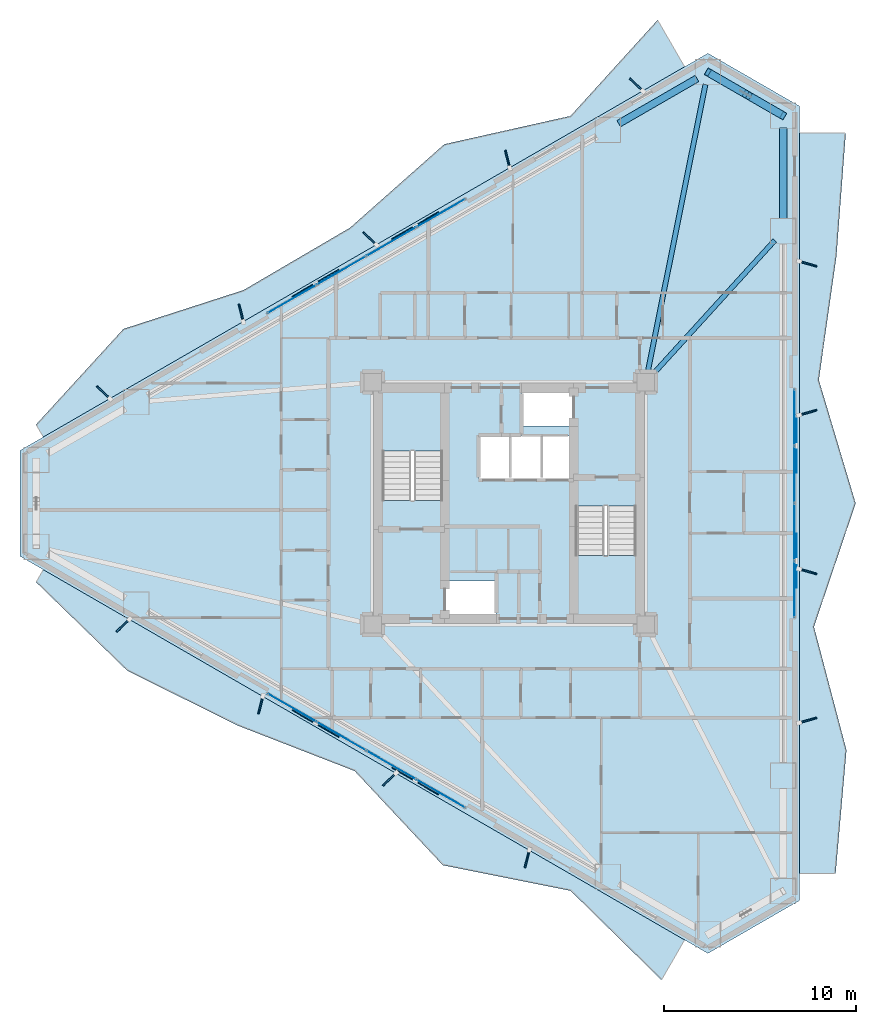
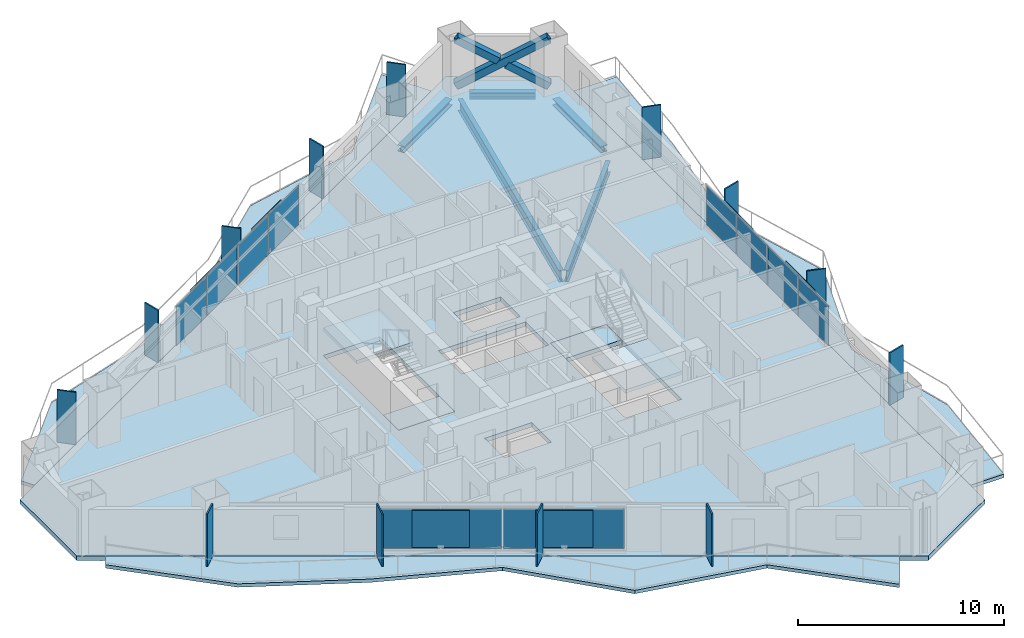
# One storey, part 10 of 18: 31 plates, 8 slabs, 5 beams, 3 members, 5 elements without a shape of their own.
"""IFC4 building model written with IfcOpenShell, lengths in metres."""

from ifc_helpers import new_model, si_unit, direction, frame, origin, origin_2d, place, context, subcontext, project, spatial, polyline, rectangle, hollow_rectangle, i_section, outline, extrude, material, layer, layer_set, material_profile, profile_set, type_object, element, aggregate, save


model = new_model("IFC4")

# Units and contexts
model_context = context("Model", 3, precision=1e-05, world=origin(), true_north=direction((0.0, 1.0)))
body_context = subcontext(model_context, "Body", "Model", "MODEL_VIEW")
ifc_project = project(units=[si_unit("LENGTHUNIT", "METRE"), si_unit("AREAUNIT", "SQUARE_METRE"), si_unit("VOLUMEUNIT", "CUBIC_METRE"), si_unit("PLANEANGLEUNIT", "RADIAN"), si_unit("MASSUNIT", "GRAM", prefix="KILO")], contexts=[model_context])

# Site, building, storey
site_placement = place(None, origin())
site = spatial("IfcSite", under=ifc_project, at=site_placement, CompositionType="ELEMENT")
building_placement = place(site_placement, origin())
building = spatial("IfcBuilding", under=site, at=building_placement, Name="Mersakhor Tower and Convention Hall", CompositionType="ELEMENT")
storey_placement = place(building_placement, frame((0.0, 0.0, 52.199951171875)))
storey = spatial("IfcBuildingStorey", under=building, at=storey_placement, Name="L14", CompositionType="ELEMENT", Elevation=52.199951171875)

# Beams
ifc_material_1 = material(Name="Steel S355", Category="steel")
ifc_material_profile_1 = material_profile(ifc_material_1, i_section(OverallWidth=0.25439453125, OverallDepth=0.6875, WebThickness=0.01318359375, FlangeThickness=0.02099609375, at=origin_2d()), Name="UB 686x254x152")
ifc_profile_set_1 = profile_set([ifc_material_profile_1], Name="Steel S355")
beam_type_1 = type_object("IfcBeamType", Name="BM-PR-686", PredefinedType="BEAM", material=ifc_profile_set_1)
beam_1_placement = place(storey_placement, frame((36.1845703125, 33.4716796875, -0.603759765625), z_axis=(0.196849718138, 0.980433673672, 0.0), x_axis=(-0.980433673672, 0.196849718138, 0.0)))
element("IfcBeam", 1, at=beam_1_placement, inside=storey, type_object=beam_type_1, Name="L14 Primary Floor Girder FG-2", PredefinedType="BEAM", context=body_context, shape_type="SweptSolid", body=[
    extrude(i_section(OverallWidth=0.25439453125, OverallDepth=0.6875, WebThickness=0.01318359375, FlangeThickness=0.02099609375, at=origin_2d()), origin(), (0.0, 0.0, 1.0), 15.359130859375),
])
beam_2_placement = place(storey_placement, frame((36.389404296875, 33.367919921875, -0.603759765625), z_axis=(0.67316322447, 0.739493930483, 0.0), x_axis=(-0.739493930483, 0.67316322447, 0.0)))
element("IfcBeam", 2, at=beam_2_placement, inside=storey, type_object=beam_type_1, Name="L14 Primary Floor Girder FG-3", PredefinedType="BEAM", context=body_context, shape_type="SweptSolid", body=[
    extrude(i_section(OverallWidth=0.25439453125, OverallDepth=0.6875, WebThickness=0.01318359375, FlangeThickness=0.02099609375, at=origin_2d()), origin(), (0.0, 0.0, 1.0), 9.53662109375),
])
ifc_material_2 = material(Name="Steel S355", Category="steel")
ifc_material_profile_2 = material_profile(ifc_material_2, i_section(OverallWidth=0.374755859375, OverallDepth=0.37451171875, WebThickness=0.0166015625, FlangeThickness=0.027099609375, at=origin_2d()), Name="UC 356x368x202")
ifc_profile_set_2 = profile_set([ifc_material_profile_2], Name="Steel S355")
beam_type_2 = type_object("IfcBeamType", Name="BM-SPD-UC356", PredefinedType="SPANDREL", material=ifc_profile_set_2)
beam_3_placement = place(storey_placement, frame((34.700439453125, 46.49560546875, -0.447265625), z_axis=(0.866031574723, 0.499989311469, 0.0), x_axis=(-0.499989311469, 0.866031574723, 0.0)))
element("IfcBeam", 3, at=beam_3_placement, inside=storey, type_object=beam_type_2, Name="L14 Perimeter Spandrel Beam SPB-03", PredefinedType="SPANDREL", context=body_context, shape_type="SweptSolid", body=[
    extrude(i_section(OverallWidth=0.374755859375, OverallDepth=0.37451171875, WebThickness=0.0166015625, FlangeThickness=0.027099609375, at=origin_2d()), origin(), (0.0, 0.0, 1.0), 4.69873046875),
])
beam_4_placement = place(storey_placement, frame((39.904052734375, 48.844970703125, -0.447265625), z_axis=(0.866038607556, -0.4999771297, 0.0), x_axis=(0.4999771297, 0.866038607556, 0.0)))
element("IfcBeam", 4, at=beam_4_placement, inside=storey, type_object=beam_type_2, Name="L14 Perimeter Spandrel Beam SPB-04", PredefinedType="SPANDREL", context=body_context, shape_type="SweptSolid", body=[
    extrude(i_section(OverallWidth=0.374755859375, OverallDepth=0.37451171875, WebThickness=0.0166015625, FlangeThickness=0.027099609375, at=origin_2d()), origin(), (0.0, 0.0, 1.0), 3.208740234375),
])
beam_5_placement = place(storey_placement, frame((43.25, 46.25830078125, -0.447265625), z_axis=(0.0, -1.0, 0.0), x_axis=(1.0, 0.0, 0.0)))
element("IfcBeam", 5, at=beam_5_placement, inside=storey, type_object=beam_type_2, Name="L14 Perimeter Spandrel Beam SPB-05", PredefinedType="SPANDREL", context=body_context, shape_type="SweptSolid", body=[
    extrude(i_section(OverallWidth=0.374755859375, OverallDepth=0.37451171875, WebThickness=0.0166015625, FlangeThickness=0.027099609375, at=origin_2d()), origin(), (0.0, 0.0, 1.0), 4.69873046875),
])

# Members
ifc_material_3 = material(Name="Steel S460", Category="steel")
ifc_material_profile_3 = material_profile(ifc_material_3, hollow_rectangle(XDim=0.39990234375, YDim=0.39990234375, WallThickness=0.02490234375, at=origin_2d()), Name="SHS 400x400x25")
ifc_profile_set_3 = profile_set([ifc_material_profile_3], Name="Steel S460")
member_type = type_object("IfcMemberType", Name="MB-BRC-SHS400", PredefinedType="BRACE", material=ifc_profile_set_3)
member_1_placement = place(storey_placement, frame((39.3369140625, 49.172607421875, 0.150146484375), z_axis=(0.740507772322, -0.427542982597, 0.518512523632), x_axis=(0.500009315796, 0.86602002524, 0.0)))
element("IfcMember", 6, at=member_1_placement, inside=storey, type_object=member_type, Name="L14 Chamfer Braced Frame Diagonal CB-1A", PredefinedType="BRACE", context=body_context, shape_type="SweptSolid", body=[
    extrude(hollow_rectangle(XDim=0.39990234375, YDim=0.39990234375, WallThickness=0.02490234375, at=origin_2d()), origin(), (0.0, 0.0, 1.0), 5.284423828125),
])
member_2_placement = place(storey_placement, frame((43.25, 46.913330078125, 0.150146484375), z_axis=(-0.740544200614, 0.427541122117, 0.51846202931), x_axis=(-0.499989236795, -0.866031617834, 0.0)))
element("IfcMember", 7, at=member_2_placement, inside=storey, type_object=member_type, Name="L14 Chamfer Braced Frame Diagonal CB-1B Lower Half", PredefinedType="BRACE", context=body_context, shape_type="SweptSolid", body=[
    extrude(hollow_rectangle(XDim=0.39990234375, YDim=0.39990234375, WallThickness=0.02490234375, at=origin_2d()), origin(), (0.0, 0.0, 1.0), 2.40869140625),
])
member_3_placement = place(storey_placement, frame((41.12060546875, 48.142578125, 1.64111328125), z_axis=(-0.740473193976, 0.427601478974, 0.51851366827), x_axis=(-0.500078132948, -0.865980289006, 0.0)))
element("IfcMember", 8, at=member_3_placement, inside=storey, type_object=member_type, Name="L14 Chamfer Braced Frame Diagonal CB-1B Upper Half", PredefinedType="BRACE", context=body_context, shape_type="SweptSolid", body=[
    extrude(hollow_rectangle(XDim=0.39990234375, YDim=0.39990234375, WallThickness=0.02490234375, at=origin_2d()), origin(), (0.0, 0.0, 1.0), 2.408935546875),
])

# Curtain wall, plates
ifc_material_4 = material(Name="Dark solar low-E aluminium curtain wall", Category="aluminium")
ifc_layer_1 = layer(ifc_material_4, 0.159912109375)
ifc_layer_set_1 = layer_set([ifc_layer_1], Name="Dark solar low-E aluminium curtain wall")
curtain_wall_type = type_object("IfcCurtainWallType", Name="CW-SYS-01", PredefinedType="USERDEFINED", material=ifc_layer_set_1)
curtain_wall_1_placement = place(storey_placement, origin())
curtain_wall_1 = element("IfcCurtainWall", 9, at=curtain_wall_1_placement, inside=storey, type_object=curtain_wall_type, Name="L14 Dark-Glass Curtain Wall F1-B2", ObjectType="CURTAIN WALL", PredefinedType="USERDEFINED")
ifc_material_5 = material(Name="Dark solar double glazing", Category="glass")
ifc_layer_2 = layer(ifc_material_5, 0.02392578125)
ifc_layer_set_2 = layer_set([ifc_layer_2], Name="Dark solar double glazing")
plate_type_1 = type_object("IfcPlateType", Name="CWP-GLZ-24", PredefinedType="CURTAIN_PANEL", material=ifc_layer_set_2)
plate_1_placement = place(storey_placement, frame((17.702880859375, 37.375, 0.259765625), z_axis=(0.0, 0.0, 1.0), x_axis=(0.866023412558, 0.50000344889, 0.0)))
plate_1 = element("IfcPlate", 10, at=plate_1_placement, type_object=plate_type_1, Name="CW-01 panel 1.1", PredefinedType="CURTAIN_PANEL", context=body_context, shape_type="SweptSolid", body=[
    extrude(rectangle(XDim=2.880859375, YDim=0.02392578125, at=origin_2d()), origin(), (0.0, 0.0, 1.0), 2.340087890625),
])
plate_2_placement = place(storey_placement, frame((20.27880859375, 38.862060546875, 0.259765625), z_axis=(0.0, 0.0, 1.0), x_axis=(0.866023412558, 0.50000344889, 0.0)))
plate_2 = element("IfcPlate", 11, at=plate_2_placement, type_object=plate_type_1, Name="CW-01 panel 2.1", PredefinedType="CURTAIN_PANEL", context=body_context, shape_type="SweptSolid", body=[
    extrude(rectangle(XDim=2.918212890625, YDim=0.02392578125, at=origin_2d()), origin(), (0.0, 0.0, 1.0), 2.340087890625),
])
plate_3_placement = place(storey_placement, frame((22.87109375, 40.35888671875, 0.259765625), z_axis=(0.0, 0.0, 1.0), x_axis=(0.866023412558, 0.50000344889, 0.0)))
plate_3 = element("IfcPlate", 12, at=plate_3_placement, type_object=plate_type_1, Name="CW-01 panel 3.1", PredefinedType="CURTAIN_PANEL", context=body_context, shape_type="SweptSolid", body=[
    extrude(rectangle(XDim=2.918212890625, YDim=0.02392578125, at=origin_2d()), origin(), (0.0, 0.0, 1.0), 2.340087890625),
])
plate_4_placement = place(storey_placement, frame((25.447021484375, 41.84619140625, 0.259765625), z_axis=(0.0, 0.0, 1.0), x_axis=(0.866023412558, 0.50000344889, 0.0)))
plate_4 = element("IfcPlate", 13, at=plate_4_placement, type_object=plate_type_1, Name="CW-01 panel 4.1", PredefinedType="CURTAIN_PANEL", context=body_context, shape_type="SweptSolid", body=[
    extrude(rectangle(XDim=2.880859375, YDim=0.02392578125, at=origin_2d()), origin(), (0.0, 0.0, 1.0), 2.340087890625),
])
aggregate(curtain_wall_1, [plate_1, plate_2, plate_3, plate_4])

curtain_wall_2_placement = place(storey_placement, origin())
curtain_wall_2 = element("IfcCurtainWall", 14, at=curtain_wall_2_placement, inside=storey, type_object=curtain_wall_type, Name="L14 Dark-Glass Curtain Wall F2-B2", ObjectType="CURTAIN WALL", PredefinedType="USERDEFINED")
plate_5_placement = place(storey_placement, frame((43.85009765625, 31.22119140625, 0.259765625), z_axis=(0.0, 0.0, 1.0), x_axis=(0.0, -1.0, 0.0)))
plate_5 = element("IfcPlate", 15, at=plate_5_placement, type_object=plate_type_1, Name="CW-01 panel 1.1", PredefinedType="CURTAIN_PANEL", context=body_context, shape_type="SweptSolid", body=[
    extrude(rectangle(XDim=2.880859375, YDim=0.02392578125, at=origin_2d()), origin(), (0.0, 0.0, 1.0), 2.340087890625),
])
plate_6_placement = place(storey_placement, frame((43.85009765625, 28.24658203125, 0.259765625), z_axis=(0.0, 0.0, 1.0), x_axis=(0.0, -1.0, 0.0)))
plate_6 = element("IfcPlate", 16, at=plate_6_placement, type_object=plate_type_1, Name="CW-01 panel 2.1", PredefinedType="CURTAIN_PANEL", context=body_context, shape_type="SweptSolid", body=[
    extrude(rectangle(XDim=2.918212890625, YDim=0.02392578125, at=origin_2d()), origin(), (0.0, 0.0, 1.0), 2.340087890625),
])
plate_7_placement = place(storey_placement, frame((43.85009765625, 25.25341796875, 0.259765625), z_axis=(0.0, 0.0, 1.0), x_axis=(0.0, -1.0, 0.0)))
plate_7 = element("IfcPlate", 17, at=plate_7_placement, type_object=plate_type_1, Name="CW-01 panel 3.1", PredefinedType="CURTAIN_PANEL", context=body_context, shape_type="SweptSolid", body=[
    extrude(rectangle(XDim=2.918212890625, YDim=0.02392578125, at=origin_2d()), origin(), (0.0, 0.0, 1.0), 2.340087890625),
])
plate_8_placement = place(storey_placement, frame((43.85009765625, 22.27880859375, 0.259765625), z_axis=(0.0, 0.0, 1.0), x_axis=(0.0, -1.0, 0.0)))
plate_8 = element("IfcPlate", 18, at=plate_8_placement, type_object=plate_type_1, Name="CW-01 panel 4.1", PredefinedType="CURTAIN_PANEL", context=body_context, shape_type="SweptSolid", body=[
    extrude(rectangle(XDim=2.880859375, YDim=0.02392578125, at=origin_2d()), origin(), (0.0, 0.0, 1.0), 2.340087890625),
])
aggregate(curtain_wall_2, [plate_5, plate_6, plate_7, plate_8])

curtain_wall_3_placement = place(storey_placement, origin())
curtain_wall_3 = element("IfcCurtainWall", 19, at=curtain_wall_3_placement, inside=storey, type_object=curtain_wall_type, Name="L14 Dark-Glass Curtain Wall F3-B2", ObjectType="CURTAIN WALL", PredefinedType="USERDEFINED")
plate_9_placement = place(storey_placement, frame((25.447021484375, 11.65380859375, 0.259765625), z_axis=(0.0, 0.0, 1.0), x_axis=(-0.866023412558, 0.50000344889, 0.0)))
plate_9 = element("IfcPlate", 20, at=plate_9_placement, type_object=plate_type_1, Name="CW-01 panel 1.1", PredefinedType="CURTAIN_PANEL", context=body_context, shape_type="SweptSolid", body=[
    extrude(rectangle(XDim=2.880859375, YDim=0.02392578125, at=origin_2d()), origin(), (0.0, 0.0, 1.0), 2.340087890625),
])
plate_10_placement = place(storey_placement, frame((22.87109375, 13.14111328125, 0.259765625), z_axis=(0.0, 0.0, 1.0), x_axis=(-0.866023412558, 0.50000344889, 0.0)))
plate_10 = element("IfcPlate", 21, at=plate_10_placement, type_object=plate_type_1, Name="CW-01 panel 2.1", PredefinedType="CURTAIN_PANEL", context=body_context, shape_type="SweptSolid", body=[
    extrude(rectangle(XDim=2.918212890625, YDim=0.02392578125, at=origin_2d()), origin(), (0.0, 0.0, 1.0), 2.340087890625),
])
plate_11_placement = place(storey_placement, frame((20.27880859375, 14.637939453125, 0.259765625), z_axis=(0.0, 0.0, 1.0), x_axis=(-0.866023412558, 0.50000344889, 0.0)))
plate_11 = element("IfcPlate", 22, at=plate_11_placement, type_object=plate_type_1, Name="CW-01 panel 3.1", PredefinedType="CURTAIN_PANEL", context=body_context, shape_type="SweptSolid", body=[
    extrude(rectangle(XDim=2.918212890625, YDim=0.02392578125, at=origin_2d()), origin(), (0.0, 0.0, 1.0), 2.340087890625),
])
plate_12_placement = place(storey_placement, frame((17.702880859375, 16.125, 0.259765625), z_axis=(0.0, 0.0, 1.0), x_axis=(-0.866023412558, 0.50000344889, 0.0)))
plate_12 = element("IfcPlate", 23, at=plate_12_placement, type_object=plate_type_1, Name="CW-01 panel 4.1", PredefinedType="CURTAIN_PANEL", context=body_context, shape_type="SweptSolid", body=[
    extrude(rectangle(XDim=2.880859375, YDim=0.02392578125, at=origin_2d()), origin(), (0.0, 0.0, 1.0), 2.340087890625),
])
aggregate(curtain_wall_3, [plate_9, plate_10, plate_11, plate_12])

# Plates
ifc_material_6 = material(Name="Ceramic-clad aluminium Zone 1 cobalt-slate", Category="masonry")
ifc_material_7 = material(Name="Ceramic-clad aluminium Zone 1 cobalt-slate", Category="masonry")
ifc_layer_3 = layer(ifc_material_7, 0.080078125)
ifc_layer_set_3 = layer_set([ifc_layer_3], Name="Ceramic-clad aluminium Zone 1 cobalt-slate")
plate_type_2 = type_object("IfcPlateType", Name="PL-FIN-80", PredefinedType="USERDEFINED", material=ifc_layer_set_3)
for number, where, z_axis, x_axis, name in (
    (24, (7.907958984375, 32.5126953125, 0.0), (0.0, 0.0, 1.0), (-0.719339800339, 0.694658370459, 0.0), "L14 Zone 1 Coloured Brise-Soleil Fin F1-1"),
    (25, (15.06298828125, 36.6435546875, 0.0), (0.0, 0.0, 1.0), (-0.2419218956, 0.970295726276, 0.0), "L14 Zone 1 Coloured Brise-Soleil Fin F1-2"),
    (26, (21.764404296875, 40.5126953125, 0.0), (0.0, 0.0, 1.0), (-0.719339800339, 0.694658370459, 0.0), "L14 Zone 1 Coloured Brise-Soleil Fin F1-3"),
    (27, (28.919189453125, 44.6435546875, 0.0), (0.0, 0.0, 1.0), (-0.2419218956, 0.970295726276, 0.0), "L14 Zone 1 Coloured Brise-Soleil Fin F1-4"),
    (28, (35.620849609375, 48.5126953125, 0.0), (0.0, 0.0, 1.0), (-0.719339800339, 0.694658370459, 0.0), "L14 Zone 1 Coloured Brise-Soleil Fin F1-5"),
    (29, (44.53662109375, 39.206298828125, 0.0), (0.0, 0.0, 1.0), (0.961261695938, -0.275637355817, 0.0), "L14 Zone 1 Coloured Brise-Soleil Fin F2-1"),
    (30, (44.53662109375, 31.46826171875, 0.0), (0.0, 0.0, 1.0), (0.961261695938, 0.275637355817, 0.0), "L14 Zone 1 Coloured Brise-Soleil Fin F2-2"),
    (31, (44.53662109375, 23.206298828125, 0.0), (0.0, 0.0, 1.0), (0.961261695938, -0.275637355817, 0.0), "L14 Zone 1 Coloured Brise-Soleil Fin F2-3"),
    (32, (44.53662109375, 15.46826171875, 0.0), (0.0, 0.0, 1.0), (0.961261695938, 0.275637355817, 0.0), "L14 Zone 1 Coloured Brise-Soleil Fin F2-4"),
    (33, (29.9365234375, 8.26904296875, 0.0), (0.0, 0.0, 1.0), (-0.2419218956, -0.970295726276, 0.0), "L14 Zone 1 Coloured Brise-Soleil Fin F3-1"),
    (34, (22.78173828125, 12.39990234375, 0.0), (0.0, 0.0, 1.0), (-0.719339800339, -0.694658370459, 0.0), "L14 Zone 1 Coloured Brise-Soleil Fin F3-2"),
    (35, (16.080078125, 16.26904296875, 0.0), (0.0, 0.0, 1.0), (-0.2419218956, -0.970295726276, 0.0), "L14 Zone 1 Coloured Brise-Soleil Fin F3-3"),
    (36, (8.92529296875, 20.39990234375, 0.0), (0.0, 0.0, 1.0), (-0.719339800339, -0.694658370459, 0.0), "L14 Zone 1 Coloured Brise-Soleil Fin F3-4"),
):
    element("IfcPlate", number, at=place(storey_placement, frame(where, z_axis=z_axis, x_axis=x_axis)), inside=storey, type_object=plate_type_2, material=ifc_material_6, Name=name, ObjectType="FIN", PredefinedType="USERDEFINED", context=body_context, shape_type="SweptSolid", body=[
        extrude(rectangle(XDim=0.949951171875, YDim=0.080078125, at=origin_2d()), origin(), (0.0, 0.0, 1.0), 3.10009765625),
    ])
ifc_material_8 = material(Name="Perforated ceramic cobogo solar screen", Category="aluminium")
ifc_layer_4 = layer(ifc_material_8, 0.048095703125)
ifc_layer_set_4 = layer_set([ifc_layer_4], Name="Perforated ceramic cobogo solar screen")
plate_type_3 = type_object("IfcPlateType", Name="PL-SCR-48", PredefinedType="USERDEFINED", material=ifc_layer_set_4)
for number, where, z_axis, x_axis, name in (
    (37, (18.935791015625, 38.1953125, 0.400146484375), (0.0, 0.0, 1.0), (0.866025403784, 0.5, 0.0), "L14 Perforated Ceramic Solar Screen F1-1"),
    (38, (24.120361328125, 41.1884765625, 0.400146484375), (0.0, 0.0, 1.0), (0.866025403784, 0.5, 0.0), "L14 Perforated Ceramic Solar Screen F1-2"),
    (39, (43.944091796875, 29.743408203125, 0.400146484375), (0.0, 0.0, 1.0), (0.0, -1.0, 0.0), "L14 Perforated Ceramic Solar Screen F2-1"),
    (40, (43.944091796875, 23.756591796875, 0.400146484375), (0.0, 0.0, 1.0), (0.0, -1.0, 0.0), "L14 Perforated Ceramic Solar Screen F2-2"),
    (41, (24.1201171875, 12.311279296875, 0.400146484375), (0.0, 0.0, 1.0), (-0.866025403784, 0.5, 0.0), "L14 Perforated Ceramic Solar Screen F3-1"),
    (42, (18.935791015625, 15.3046875, 0.400146484375), (0.0, 0.0, 1.0), (-0.866025403784, 0.5, 0.0), "L14 Perforated Ceramic Solar Screen F3-2"),
):
    element("IfcPlate", number, at=place(storey_placement, frame(where, z_axis=z_axis, x_axis=x_axis)), inside=storey, type_object=plate_type_3, Name=name, ObjectType="SCREEN", PredefinedType="USERDEFINED", context=body_context, shape_type="SweptSolid", body=[
        extrude(rectangle(XDim=2.800048828125, YDim=0.048095703125, at=origin_2d()), origin(), (0.0, 0.0, 1.0), 2.2099609375),
    ])

# Slabs
ifc_material_9 = material(Name="Concrete C45/55", Category="concrete")
ifc_layer_5 = layer(ifc_material_9, 0.199951171875)
ifc_layer_set_5 = layer_set([ifc_layer_5], Name="Concrete C45/55")
slab_type_1 = type_object("IfcSlabType", Name="SL-BAL-200", PredefinedType="FLOOR", material=ifc_layer_set_5)
slab_1_placement = place(storey_placement, frame((0.0, 0.0, -0.199951171875)))
element("IfcSlab", 43, at=slab_1_placement, inside=storey, type_object=slab_type_1, Name="L14 Sinusoidal Balcony Slab Face 1", PredefinedType="FLOOR", context=body_context, shape_type="SweptSolid", body=[
    extrude(outline(polyline([(4.775390625, 30.199951171875), (38.12451171875, 49.4541015625), (36.720458984375, 51.885986328125), (32.19140625, 46.89453125), (25.62890625, 45.4248046875), (20.724609375, 41.083251953125), (15.18701171875, 37.839111328125), (8.941650390625, 35.81982421875), (4.400390625, 30.849609375), (4.775390625, 30.199951171875)])), origin(), (0.0, 0.0, 1.0), 0.199951171875),
])
slab_2_placement = place(storey_placement, frame((0.0, 0.0, -0.199951171875)))
element("IfcSlab", 44, at=slab_2_placement, inside=storey, type_object=slab_type_1, Name="L14 Sinusoidal Balcony Slab Face 2", PredefinedType="FLOOR", context=body_context, shape_type="SweptSolid", body=[
    extrude(outline(polyline([(44.10009765625, 46.00390625), (44.10009765625, 7.49609375), (45.975341796875, 7.49609375), (46.54150390625, 13.9140625), (44.85009765625, 20.33203125), (47.02001953125, 26.75), (45.10302734375, 33.16796875), (46.01806640625, 39.5859375), (46.5048828125, 46.00390625), (44.10009765625, 46.00390625)])), origin(), (0.0, 0.0, 1.0), 0.199951171875),
])
slab_3_placement = place(storey_placement, frame((0.0, 0.0, -0.199951171875)))
element("IfcSlab", 45, at=slab_3_placement, inside=storey, type_object=slab_type_1, Name="L14 Sinusoidal Balcony Slab Face 3", PredefinedType="FLOOR", context=body_context, shape_type="SweptSolid", body=[
    extrude(outline(polyline([(38.12451171875, 4.0458984375), (4.775390625, 23.300048828125), (4.400390625, 22.650390625), (9.14990234375, 18.04052734375), (14.91162109375, 15.18408203125), (20.96435546875, 12.831787109375), (25.548095703125, 7.935302734375), (32.19140625, 6.60546875), (36.922119140625, 1.963134765625), (38.12451171875, 4.0458984375)])), origin(), (0.0, 0.0, 1.0), 0.199951171875),
])
ifc_material_10 = material(Name="Concrete C45/55", Category="concrete")
ifc_layer_6 = layer(ifc_material_10, 0.260009765625)
ifc_layer_set_6 = layer_set([ifc_layer_6], Name="Concrete C45/55")
slab_type_2 = type_object("IfcSlabType", Name="SL-FLR-260", PredefinedType="FLOOR", material=ifc_layer_set_6)
slab_4_placement = place(storey_placement, frame((0.0, 0.0, -0.260009765625)))
element("IfcSlab", 46, at=slab_4_placement, inside=storey, type_object=slab_type_2, Name="L14 ST-1 Structural Stair Floor Landing", PredefinedType="LANDING", context=body_context, shape_type="SweptSolid", body=[
    extrude(outline(polyline([(25.550048828125, 25.39990234375), (25.550048828125, 26.89990234375), (22.39990234375, 26.89990234375), (22.39990234375, 25.39990234375), (25.550048828125, 25.39990234375)])), origin(), (0.0, 0.0, 1.0), 0.260009765625),
])
slab_5_placement = place(storey_placement, frame((0.0, 0.0, -0.260009765625)))
element("IfcSlab", 47, at=slab_5_placement, inside=storey, type_object=slab_type_2, Name="L14 ST-2 Structural Stair Floor Landing", PredefinedType="LANDING", context=body_context, shape_type="SweptSolid", body=[
    extrude(outline(polyline([(32.449951171875, 28.10009765625), (32.449951171875, 26.60009765625), (35.60009765625, 26.60009765625), (35.60009765625, 28.10009765625), (32.449951171875, 28.10009765625)])), origin(), (0.0, 0.0, 1.0), 0.260009765625),
])
slab_6_placement = place(storey_placement, frame((0.0, 0.0, -0.260009765625)))
element("IfcSlab", 48, at=slab_6_placement, inside=storey, type_object=slab_type_2, Name="Tower L14 Structural Floor Slab", PredefinedType="FLOOR", context=body_context, shape_type="SweptSolid", body=[
    extrude(outline(polyline([(3.56298828125, 29.5), (39.3369140625, 50.154052734375), (44.10009765625, 47.404052734375), (44.10009765625, 6.095947265625), (39.3369140625, 3.345947265625), (3.56298828125, 24.0), (3.56298828125, 29.5)]), holes=[polyline([(25.550048828125, 25.39990234375), (25.550048828125, 32.699951171875), (22.39990234375, 32.699951171875), (22.39990234375, 25.39990234375), (25.550048828125, 25.39990234375)]), polyline([(32.449951171875, 28.10009765625), (32.449951171875, 20.800048828125), (35.60009765625, 20.800048828125), (35.60009765625, 28.10009765625), (32.449951171875, 28.10009765625)]), polyline([(25.679931640625, 20.820068359375), (25.679931640625, 22.719970703125), (28.320068359375, 22.719970703125), (28.320068359375, 20.820068359375), (25.679931640625, 20.820068359375)]), polyline([(29.679931640625, 30.780029296875), (29.679931640625, 32.679931640625), (32.320068359375, 32.679931640625), (32.320068359375, 30.780029296875), (29.679931640625, 30.780029296875)]), polyline([(27.429931640625, 28.0), (27.429931640625, 30.25), (32.320068359375, 30.25), (32.320068359375, 28.0), (27.429931640625, 28.0)])]), origin(), (0.0, 0.0, 1.0), 0.260009765625),
])

# Stair, slab
ifc_material_11 = material(Name="Concrete C45/55", Category="concrete")
stair_type = type_object("IfcStairType", Name="ST-TWR-20R", PredefinedType="HALF_TURN_STAIR", material=ifc_material_11)
stair_1_placement = place(storey_placement, origin())
stair_1 = element("IfcStair", 49, at=stair_1_placement, inside=storey, type_object=stair_type, Name="L14 Tower Protected Exit Stair ST-1", PredefinedType="HALF_TURN_STAIR")
ifc_material_12 = material(Name="Concrete C45/55", Category="concrete")
ifc_layer_7 = layer(ifc_material_12, 0.199951171875)
ifc_layer_set_7 = layer_set([ifc_layer_7], Name="Concrete C45/55")
slab_type_3 = type_object("IfcSlabType", Name="SL-LAND-200", PredefinedType="LANDING", material=ifc_layer_set_7)
slab_7_placement = place(storey_placement, frame((0.0, 0.0, 1.449951171875)))
slab_7 = element("IfcSlab", 50, at=slab_7_placement, type_object=slab_type_3, Name="ST-1 landing 1", PredefinedType="LANDING", context=body_context, shape_type="SweptSolid", body=[
    extrude(outline(polyline([(25.550048828125, 29.465087890625), (25.550048828125, 32.699951171875), (22.39990234375, 32.699951171875), (22.39990234375, 29.465087890625), (25.550048828125, 29.465087890625)])), origin(), (0.0, 0.0, 1.0), 0.2001953125),
])
aggregate(stair_1, [slab_7])

stair_2_placement = place(storey_placement, origin())
stair_2 = element("IfcStair", 51, at=stair_2_placement, inside=storey, type_object=stair_type, Name="L14 Tower Protected Exit Stair ST-2", PredefinedType="HALF_TURN_STAIR")
slab_8_placement = place(storey_placement, frame((0.0, 0.0, 1.449951171875)))
slab_8 = element("IfcSlab", 52, at=slab_8_placement, type_object=slab_type_3, Name="ST-2 landing 1", PredefinedType="LANDING", context=body_context, shape_type="SweptSolid", body=[
    extrude(outline(polyline([(32.449951171875, 24.034912109375), (32.449951171875, 20.800048828125), (35.60009765625, 20.800048828125), (35.60009765625, 24.034912109375), (32.449951171875, 24.034912109375)])), origin(), (0.0, 0.0, 1.0), 0.2001953125),
])
aggregate(stair_2, [slab_8])

save(model, "model.ifc")
